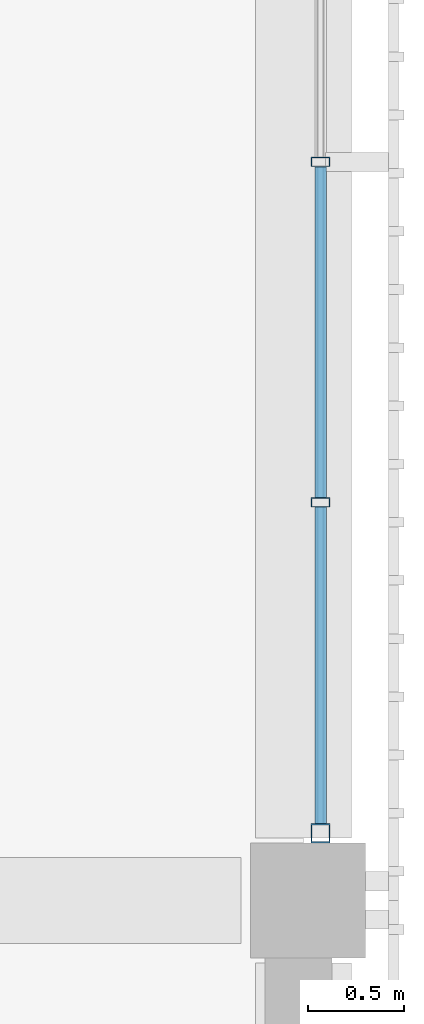
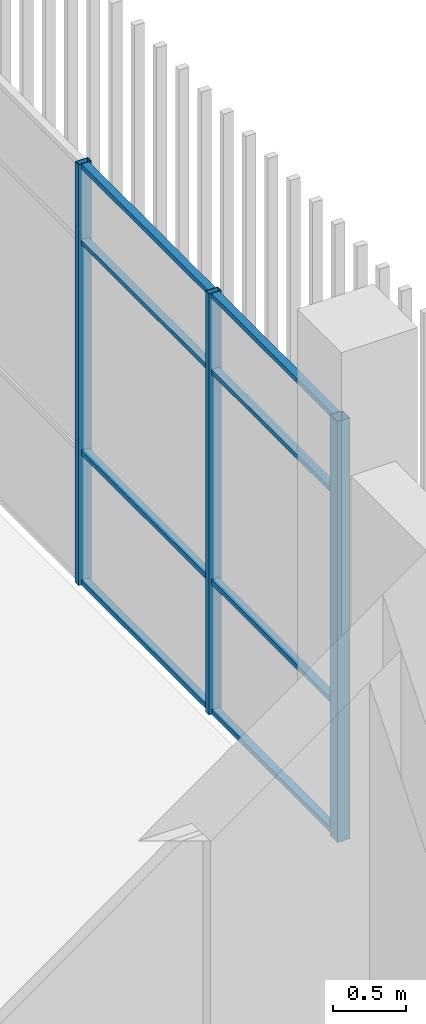
# One storey, part 58 of 126: 11 members, 1 element without a shape of its own.
"""IFC4 building model written with IfcOpenShell, lengths in metres."""

from ifc_helpers import new_model, si_unit, direction, frame, origin, origin_2d, place, context, subcontext, project, spatial, hollow_rectangle, extrude, material, layer, layer_set, material_profile, profile_set, type_object, element, aggregate, save


model = new_model("IFC4")

# Units and contexts
model_context = context("Model", 3, precision=1e-05, world=origin(), true_north=direction((0.0, 1.0)))
body_context = subcontext(model_context, "Body", "Model", "MODEL_VIEW")
ifc_project = project(units=[si_unit("LENGTHUNIT", "METRE"), si_unit("AREAUNIT", "SQUARE_METRE"), si_unit("VOLUMEUNIT", "CUBIC_METRE"), si_unit("PLANEANGLEUNIT", "RADIAN"), si_unit("MASSUNIT", "GRAM", prefix="KILO")], contexts=[model_context])

# Site, building, storey
site_placement = place(None, origin())
site = spatial("IfcSite", under=ifc_project, at=site_placement, CompositionType="ELEMENT")
building_placement = place(site_placement, origin())
building = spatial("IfcBuilding", under=site, at=building_placement, Name="Shirokan Park Arena", CompositionType="ELEMENT")
storey_placement = place(building_placement, frame((0.0, 0.0, 6.3701171875)))
storey = spatial("IfcBuildingStorey", under=building, at=storey_placement, Name="L01", CompositionType="ELEMENT", Elevation=6.3701171875)

# Curtain wall, members
ifc_material_1 = material(Name="Steel and glass curtain wall", Category="steel")
ifc_layer = layer(ifc_material_1, 0.1201171875)
ifc_layer_set = layer_set([ifc_layer], Name="Steel and glass curtain wall 120 mm")
curtain_wall_type = type_object("IfcCurtainWallType", Name="Curtain wall corner block side bay 120", PredefinedType="NOTDEFINED", material=ifc_layer_set)
curtain_wall_placement = place(storey_placement, origin())
curtain_wall = element("IfcCurtainWall", 1, at=curtain_wall_placement, inside=storey, type_object=curtain_wall_type, Name="Curtain wall east bay 11 L01", PredefinedType="NOTDEFINED")
ifc_material_2 = material(Name="Steel S355", Category="steel")
ifc_material_profile_1 = material_profile(ifc_material_2, hollow_rectangle(XDim=0.10009765625, YDim=0.10009765625, WallThickness=0.006103515625, at=origin_2d()), Name="RHS 100x100x6")
ifc_profile_set_1 = profile_set([ifc_material_profile_1], Name="Steel S355")
member_type_1 = type_object("IfcMemberType", Name="Mullion RHS 100x100x6", PredefinedType="MULLION", material=ifc_profile_set_1)
member_1_placement = place(storey_placement, frame((145.68994140625, 91.35009765625, 0.0), z_axis=(0.0, 0.0, 1.0), x_axis=(-1.0, 0.0, 0.0)))
member_1 = element("IfcMember", 2, at=member_1_placement, type_object=member_type_1, Name="CW3 mullion 1", PredefinedType="MULLION", context=body_context, shape_type="SweptSolid", body=[
    extrude(hollow_rectangle(XDim=0.10009765625, YDim=0.10009765625, WallThickness=0.006103515625, at=origin_2d()), origin(), (0.0, 0.0, 1.0), 3.5),
])
ifc_material_profile_2 = material_profile(ifc_material_2, hollow_rectangle(XDim=0.10009765625, YDim=0.050048828125, WallThickness=0.0048828125, at=origin_2d()), Name="RHS 100x50x5")
ifc_profile_set_2 = profile_set([ifc_material_profile_2], Name="Steel S355")
member_type_2 = type_object("IfcMemberType", Name="Mullion RHS 100x50x5", PredefinedType="MULLION", material=ifc_profile_set_2)
member_2_placement = place(storey_placement, frame((145.68994140625, 93.074951171875, 0.0), z_axis=(0.0, 0.0, 1.0), x_axis=(-1.0, 0.0, 0.0)))
member_2 = element("IfcMember", 3, at=member_2_placement, type_object=member_type_2, Name="CW3 mullion 2", PredefinedType="MULLION", context=body_context, shape_type="SweptSolid", body=[
    extrude(hollow_rectangle(XDim=0.10009765625, YDim=0.050048828125, WallThickness=0.0048828125, at=origin_2d()), origin(), (0.0, 0.0, 1.0), 3.5),
])
member_3_placement = place(storey_placement, frame((145.68994140625, 94.85009765625, 0.0), z_axis=(0.0, 0.0, 1.0), x_axis=(-1.0, 0.0, 0.0)))
member_3 = element("IfcMember", 4, at=member_3_placement, type_object=member_type_2, Name="CW3 mullion 3", PredefinedType="MULLION", context=body_context, shape_type="SweptSolid", body=[
    extrude(hollow_rectangle(XDim=0.10009765625, YDim=0.050048828125, WallThickness=0.0048828125, at=origin_2d()), origin(), (0.0, 0.0, 1.0), 3.5),
])
ifc_material_profile_3 = material_profile(ifc_material_2, hollow_rectangle(XDim=0.06005859375, YDim=0.0400390625, WallThickness=0.00390625, at=origin_2d()), Name="RHS 60x40x4")
ifc_profile_set_3 = profile_set([ifc_material_profile_3], Name="Steel S355")
member_type_3 = type_object("IfcMemberType", Name="Transom RHS 60x40x4", PredefinedType="MULLION", material=ifc_profile_set_3)
member_4_placement = place(storey_placement, frame((145.68994140625, 91.39990234375, 0.019775390625), z_axis=(0.0, 1.0, 0.0), x_axis=(-1.0, 0.0, 0.0)))
member_4 = element("IfcMember", 5, at=member_4_placement, type_object=member_type_3, Name="CW3 transom 1.1", PredefinedType="MULLION", context=body_context, shape_type="SweptSolid", body=[
    extrude(hollow_rectangle(XDim=0.06005859375, YDim=0.0400390625, WallThickness=0.00390625, at=origin_2d()), origin(), (0.0, 0.0, 1.0), 1.650146484375),
])
member_5_placement = place(storey_placement, frame((145.68994140625, 91.39990234375, 1.099853515625), z_axis=(0.0, 1.0, 0.0), x_axis=(-1.0, 0.0, 0.0)))
member_5 = element("IfcMember", 6, at=member_5_placement, type_object=member_type_3, Name="CW3 transom 1.2", PredefinedType="MULLION", context=body_context, shape_type="SweptSolid", body=[
    extrude(hollow_rectangle(XDim=0.06005859375, YDim=0.0400390625, WallThickness=0.00390625, at=origin_2d()), origin(), (0.0, 0.0, 1.0), 1.650146484375),
])
member_6_placement = place(storey_placement, frame((145.68994140625, 91.39990234375, 2.849853515625), z_axis=(0.0, 1.0, 0.0), x_axis=(-1.0, 0.0, 0.0)))
member_6 = element("IfcMember", 7, at=member_6_placement, type_object=member_type_3, Name="CW3 transom 1.3", PredefinedType="MULLION", context=body_context, shape_type="SweptSolid", body=[
    extrude(hollow_rectangle(XDim=0.06005859375, YDim=0.0400390625, WallThickness=0.00390625, at=origin_2d()), origin(), (0.0, 0.0, 1.0), 1.650146484375),
])
member_7_placement = place(storey_placement, frame((145.68994140625, 91.39990234375, 3.47998046875), z_axis=(0.0, 1.0, 0.0), x_axis=(-1.0, 0.0, 0.0)))
member_7 = element("IfcMember", 8, at=member_7_placement, type_object=member_type_3, Name="CW3 transom 1.4", PredefinedType="MULLION", context=body_context, shape_type="SweptSolid", body=[
    extrude(hollow_rectangle(XDim=0.06005859375, YDim=0.0400390625, WallThickness=0.00390625, at=origin_2d()), origin(), (0.0, 0.0, 1.0), 1.650146484375),
])
member_8_placement = place(storey_placement, frame((145.68994140625, 93.10009765625, 0.019775390625), z_axis=(0.0, 1.0, 0.0), x_axis=(-1.0, 0.0, 0.0)))
member_8 = element("IfcMember", 9, at=member_8_placement, type_object=member_type_3, Name="CW3 transom 2.1", PredefinedType="MULLION", context=body_context, shape_type="SweptSolid", body=[
    extrude(hollow_rectangle(XDim=0.06005859375, YDim=0.0400390625, WallThickness=0.00390625, at=origin_2d()), origin(), (0.0, 0.0, 1.0), 1.724853515625),
])
member_9_placement = place(storey_placement, frame((145.68994140625, 93.10009765625, 1.099853515625), z_axis=(0.0, 1.0, 0.0), x_axis=(-1.0, 0.0, 0.0)))
member_9 = element("IfcMember", 10, at=member_9_placement, type_object=member_type_3, Name="CW3 transom 2.2", PredefinedType="MULLION", context=body_context, shape_type="SweptSolid", body=[
    extrude(hollow_rectangle(XDim=0.06005859375, YDim=0.0400390625, WallThickness=0.00390625, at=origin_2d()), origin(), (0.0, 0.0, 1.0), 1.724853515625),
])
member_10_placement = place(storey_placement, frame((145.68994140625, 93.10009765625, 2.849853515625), z_axis=(0.0, 1.0, 0.0), x_axis=(-1.0, 0.0, 0.0)))
member_10 = element("IfcMember", 11, at=member_10_placement, type_object=member_type_3, Name="CW3 transom 2.3", PredefinedType="MULLION", context=body_context, shape_type="SweptSolid", body=[
    extrude(hollow_rectangle(XDim=0.06005859375, YDim=0.0400390625, WallThickness=0.00390625, at=origin_2d()), origin(), (0.0, 0.0, 1.0), 1.724853515625),
])
member_11_placement = place(storey_placement, frame((145.68994140625, 93.10009765625, 3.47998046875), z_axis=(0.0, 1.0, 0.0), x_axis=(-1.0, 0.0, 0.0)))
member_11 = element("IfcMember", 12, at=member_11_placement, type_object=member_type_3, Name="CW3 transom 2.4", PredefinedType="MULLION", context=body_context, shape_type="SweptSolid", body=[
    extrude(hollow_rectangle(XDim=0.06005859375, YDim=0.0400390625, WallThickness=0.00390625, at=origin_2d()), origin(), (0.0, 0.0, 1.0), 1.724853515625),
])
aggregate(curtain_wall, [member_1, member_2, member_3, member_4, member_5, member_6, member_7, member_8, member_9, member_10, member_11])

save(model, "model.ifc")
